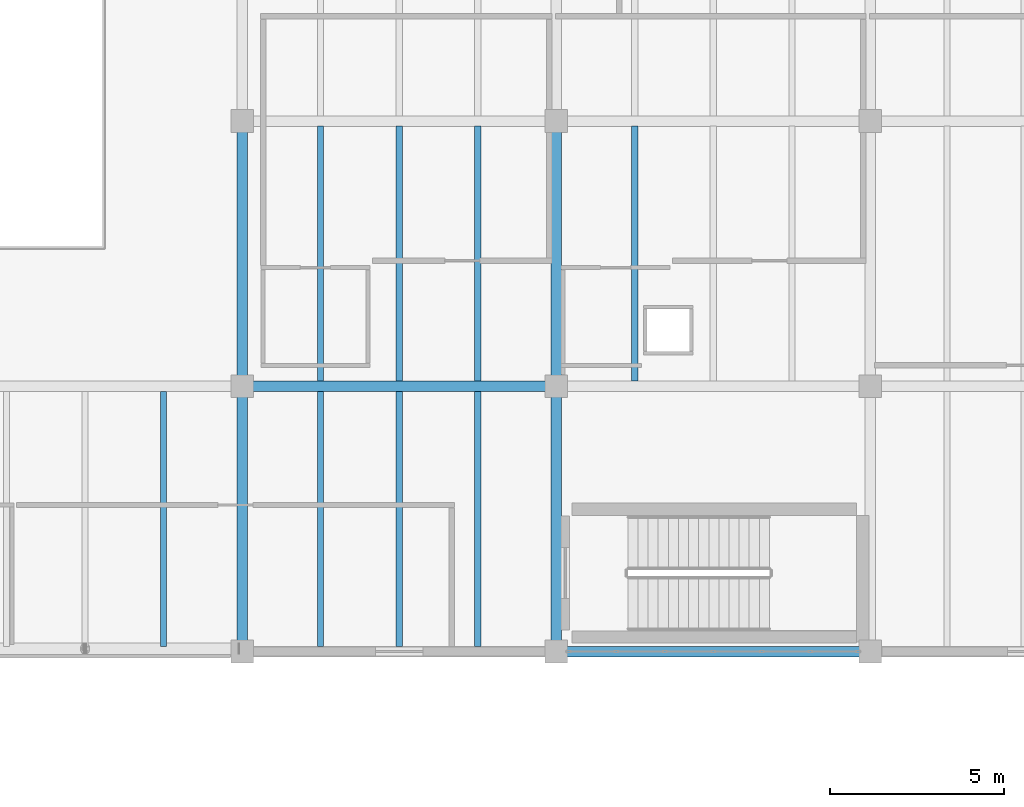
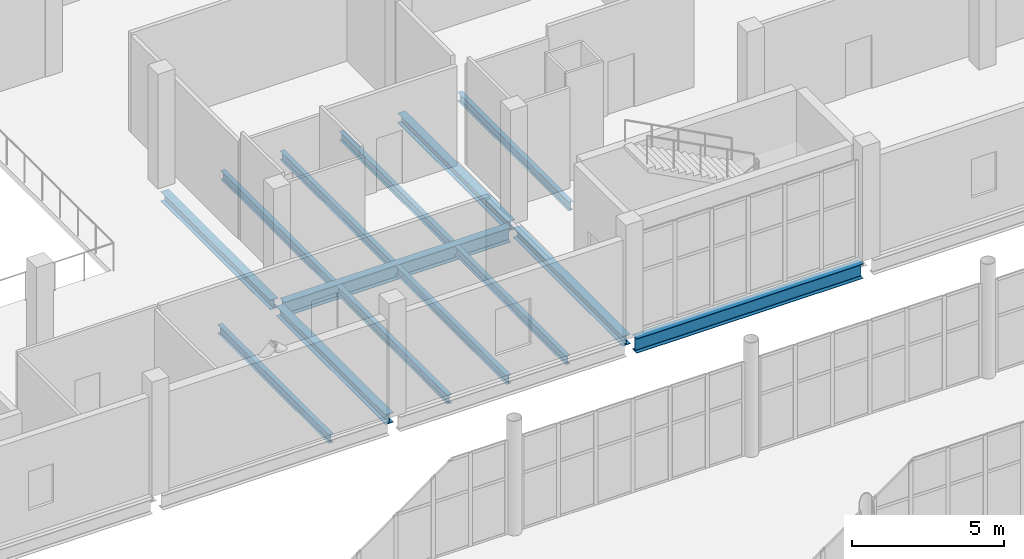
# One storey, part 120 of 172: 14 beams.
"""IFC4 building model written with IfcOpenShell, lengths in metres."""

from ifc_helpers import new_model, si_unit, direction, frame, origin, origin_2d, place, context, subcontext, project, spatial, i_section, extrude, material, material_profile, profile_set, type_object, element, save


model = new_model("IFC4")

# Units and contexts
model_context = context("Model", 3, precision=1e-05, world=origin(), true_north=direction((0.0, 1.0)))
body_context = subcontext(model_context, "Body", "Model", "MODEL_VIEW")
ifc_project = project(units=[si_unit("LENGTHUNIT", "METRE"), si_unit("AREAUNIT", "SQUARE_METRE"), si_unit("VOLUMEUNIT", "CUBIC_METRE"), si_unit("PLANEANGLEUNIT", "RADIAN"), si_unit("MASSUNIT", "GRAM", prefix="KILO")], contexts=[model_context])

# Site, building, storey
site_placement = place(None, origin())
site = spatial("IfcSite", under=ifc_project, at=site_placement, CompositionType="ELEMENT")
building_placement = place(site_placement, origin())
building = spatial("IfcBuilding", under=site, at=building_placement, Name="Shengluoqiao Park Theatre", CompositionType="ELEMENT")
storey_placement = place(building_placement, frame((0.0, 0.0, 5.39990234375)))
storey = spatial("IfcBuildingStorey", under=building, at=storey_placement, Name="L01", CompositionType="ELEMENT", Elevation=5.39990234375)

# Beams
ifc_material = material(Name="Steel Q355", Category="steel")
ifc_material_profile_1 = material_profile(ifc_material, i_section(OverallWidth=0.300048828125, OverallDepth=0.389892578125, WebThickness=0.010009765625, FlangeThickness=0.01611328125, FilletRadius=0.01806640625, at=origin_2d()), Name="HM 390x300x10x16")
ifc_profile_set_1 = profile_set([ifc_material_profile_1], Name="Steel Q355")
beam_type_1 = type_object("IfcBeamType", Name="STR-BM-G-HM390", PredefinedType="BEAM", material=ifc_profile_set_1)
beam_1_placement = place(storey_placement, frame((130.39990234375, 84.194091796875, -0.434814453125), z_axis=(0.0, 1.0, 0.0), x_axis=(-1.0, 0.0, 0.0)))
element("IfcBeam", 1, at=beam_1_placement, inside=storey, type_object=beam_type_1, Name="L01 Transverse Girder 00649", PredefinedType="BEAM", context=body_context, shape_type="SweptSolid", body=[
    extrude(i_section(OverallWidth=0.300048828125, OverallDepth=0.389892578125, WebThickness=0.010009765625, FlangeThickness=0.01611328125, FilletRadius=0.01806640625, at=origin_2d()), origin(), (0.0, 0.0, 1.0), 7.2119140625),
])
beam_2_placement = place(storey_placement, frame((130.39990234375, 91.7939453125, -0.434814453125), z_axis=(0.0, 1.0, 0.0), x_axis=(-1.0, 0.0, 0.0)))
element("IfcBeam", 2, at=beam_2_placement, inside=storey, type_object=beam_type_1, Name="L01 Transverse Girder 00650", PredefinedType="BEAM", context=body_context, shape_type="SweptSolid", body=[
    extrude(i_section(OverallWidth=0.300048828125, OverallDepth=0.389892578125, WebThickness=0.010009765625, FlangeThickness=0.01611328125, FilletRadius=0.01806640625, at=origin_2d()), origin(), (0.0, 0.0, 1.0), 7.212158203125),
])
beam_3_placement = place(storey_placement, frame((139.39990234375, 84.194091796875, -0.434814453125), z_axis=(0.0, 1.0, 0.0), x_axis=(-1.0, 0.0, 0.0)))
element("IfcBeam", 3, at=beam_3_placement, inside=storey, type_object=beam_type_1, Name="L01 Transverse Girder 00653", PredefinedType="BEAM", context=body_context, shape_type="SweptSolid", body=[
    extrude(i_section(OverallWidth=0.300048828125, OverallDepth=0.389892578125, WebThickness=0.010009765625, FlangeThickness=0.01611328125, FilletRadius=0.01806640625, at=origin_2d()), origin(), (0.0, 0.0, 1.0), 7.2119140625),
])
beam_4_placement = place(storey_placement, frame((139.39990234375, 91.7939453125, -0.434814453125), z_axis=(0.0, 1.0, 0.0), x_axis=(-1.0, 0.0, 0.0)))
element("IfcBeam", 4, at=beam_4_placement, inside=storey, type_object=beam_type_1, Name="L01 Transverse Girder 00654", PredefinedType="BEAM", context=body_context, shape_type="SweptSolid", body=[
    extrude(i_section(OverallWidth=0.300048828125, OverallDepth=0.389892578125, WebThickness=0.010009765625, FlangeThickness=0.01611328125, FilletRadius=0.01806640625, at=origin_2d()), origin(), (0.0, 0.0, 1.0), 7.212158203125),
])
ifc_material_profile_2 = material_profile(ifc_material, i_section(OverallWidth=0.300048828125, OverallDepth=0.587890625, WebThickness=0.011962890625, FlangeThickness=0.02001953125, FilletRadius=0.02392578125, at=origin_2d()), Name="HM 588x300x12x20")
ifc_profile_set_2 = profile_set([ifc_material_profile_2], Name="Steel Q355")
beam_type_2 = type_object("IfcBeamType", Name="STR-BM-G-HM588", PredefinedType="BEAM", material=ifc_profile_set_2)
for number, where, z_axis, x_axis, name in (
    (5, (130.597900390625, 91.60009765625, -0.533935546875), (1.0, 0.0, 0.0), (0.0, 1.0, 0.0), "L01 Primary Girder 00642"),
    (6, (139.597900390625, 84.0, -0.533935546875), (1.0, 0.0, 0.0), (0.0, 1.0, 0.0), "L01 Primary Girder 00670"),
):
    element("IfcBeam", number, at=place(storey_placement, frame(where, z_axis=z_axis, x_axis=x_axis)), inside=storey, type_object=beam_type_2, Name=name, PredefinedType="BEAM", context=body_context, shape_type="SweptSolid", body=[
        extrude(i_section(OverallWidth=0.300048828125, OverallDepth=0.587890625, WebThickness=0.011962890625, FlangeThickness=0.02001953125, FilletRadius=0.02392578125, at=origin_2d()), origin(), (0.0, 0.0, 1.0), 8.60400390625),
    ])
ifc_material_profile_3 = material_profile(ifc_material, i_section(OverallWidth=0.175048828125, OverallDepth=0.35009765625, WebThickness=0.007080078125, FlangeThickness=0.010986328125, FilletRadius=0.013916015625, at=origin_2d()), Name="HN 350x175x7x11")
ifc_profile_set_3 = profile_set([ifc_material_profile_3], Name="Steel Q355")
beam_type_3 = type_object("IfcBeamType", Name="STR-BM-J-HN350", PredefinedType="JOIST", material=ifc_profile_set_3)
for number, where, z_axis, x_axis, name in (
    (7, (128.14990234375, 84.14501953125, -0.414794921875), (0.0, 1.0, 0.0), (-1.0, 0.0, 0.0), "L01 Composite Joist 00660"),
    (8, (132.64990234375, 84.14501953125, -0.414794921875), (0.0, 1.0, 0.0), (-1.0, 0.0, 0.0), "L01 Composite Joist 00661"),
    (9, (134.89990234375, 84.14501953125, -0.414794921875), (0.0, 1.0, 0.0), (-1.0, 0.0, 0.0), "L01 Composite Joist 00662"),
    (10, (137.14990234375, 84.14501953125, -0.414794921875), (0.0, 1.0, 0.0), (-1.0, 0.0, 0.0), "L01 Composite Joist 00663"),
):
    element("IfcBeam", number, at=place(storey_placement, frame(where, z_axis=z_axis, x_axis=x_axis)), inside=storey, type_object=beam_type_3, Name=name, PredefinedType="JOIST", context=body_context, shape_type="SweptSolid", body=[
        extrude(i_section(OverallWidth=0.175048828125, OverallDepth=0.35009765625, WebThickness=0.007080078125, FlangeThickness=0.010986328125, FilletRadius=0.013916015625, at=origin_2d()), origin(), (0.0, 0.0, 1.0), 7.31005859375),
    ])
for number, where, z_axis, x_axis, name in (
    (11, (132.64990234375, 91.7451171875, -0.414794921875), (0.0, 1.0, 0.0), (-1.0, 0.0, 0.0), "L01 Composite Joist 00664"),
    (12, (134.89990234375, 91.7451171875, -0.414794921875), (0.0, 1.0, 0.0), (-1.0, 0.0, 0.0), "L01 Composite Joist 00665"),
    (13, (137.14990234375, 91.7451171875, -0.414794921875), (0.0, 1.0, 0.0), (-1.0, 0.0, 0.0), "L01 Composite Joist 00666"),
    (14, (141.64990234375, 91.7451171875, -0.414794921875), (0.0, 1.0, 0.0), (-1.0, 0.0, 0.0), "L01 Composite Joist 00697"),
):
    element("IfcBeam", number, at=place(storey_placement, frame(where, z_axis=z_axis, x_axis=x_axis)), inside=storey, type_object=beam_type_3, Name=name, PredefinedType="JOIST", context=body_context, shape_type="SweptSolid", body=[
        extrude(i_section(OverallWidth=0.175048828125, OverallDepth=0.35009765625, WebThickness=0.007080078125, FlangeThickness=0.010986328125, FilletRadius=0.013916015625, at=origin_2d()), origin(), (0.0, 0.0, 1.0), 7.309814453125),
    ])

save(model, "model.ifc")
